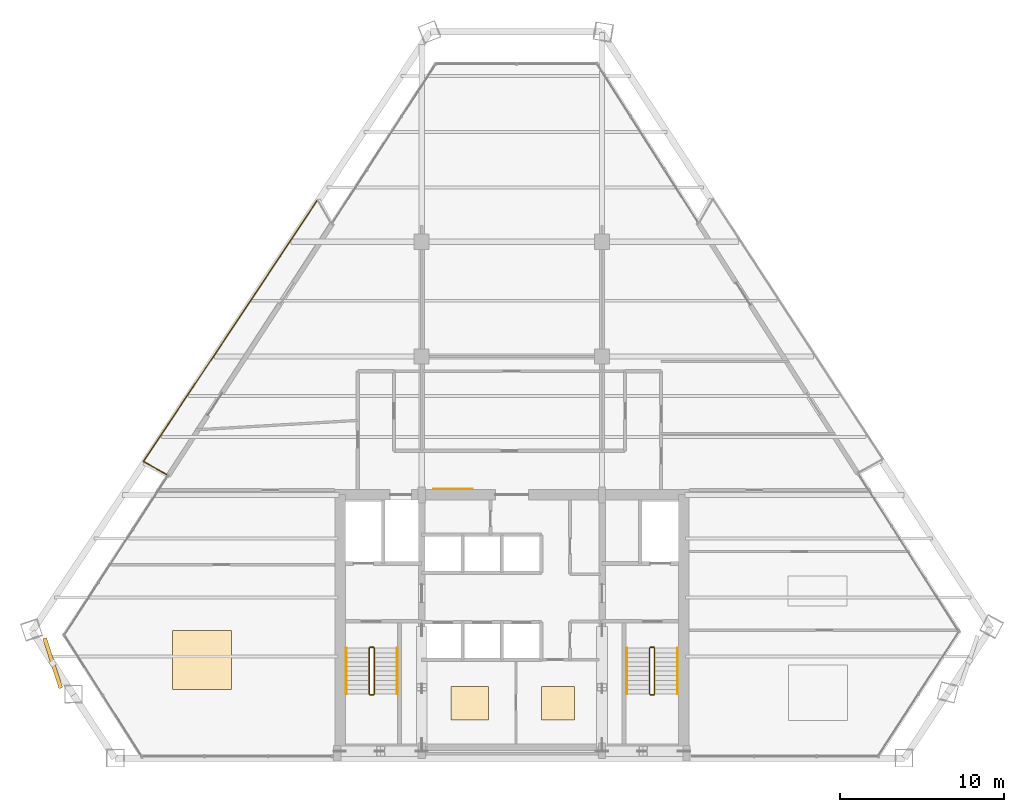
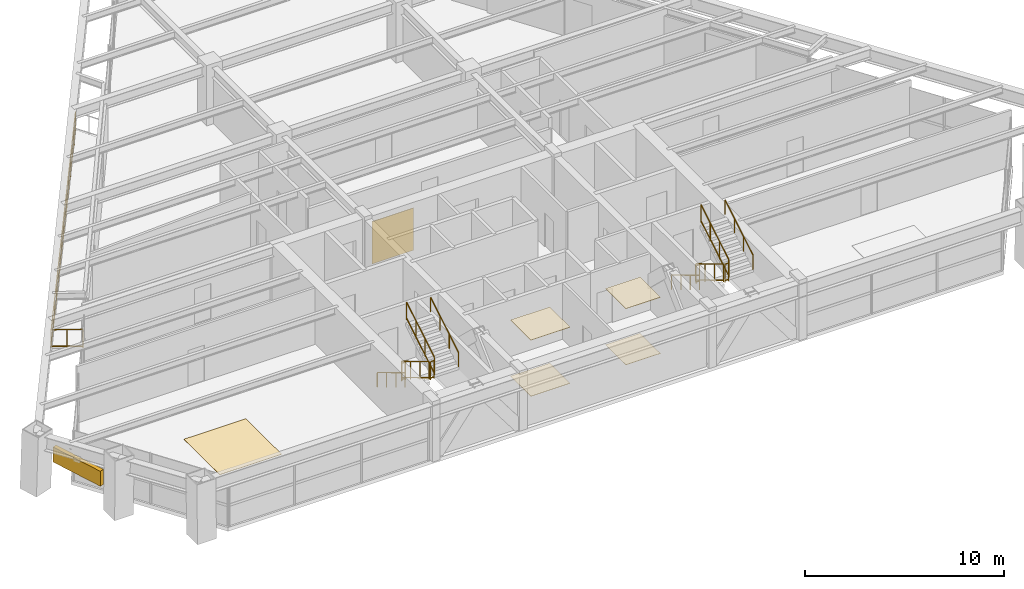
# One storey, part 14 of 15: 14 railings, 6 coverings, 1 shading device.
"""IFC4 building model written with IfcOpenShell, lengths in metres."""

from ifc_helpers import new_model, si_unit, direction, frame, origin, origin_2d, place, context, subcontext, project, spatial, rectangle, extrude, source, transform, mapped, material, layer, layer_set, type_object, type_shapes, element, save


model = new_model("IFC4")

# Units and contexts
model_context = context("Model", 3, precision=1e-05, world=origin(), true_north=direction((0.0, 1.0)))
body_context = subcontext(model_context, "Body", "Model", "MODEL_VIEW")
ifc_project = project(units=[si_unit("LENGTHUNIT", "METRE"), si_unit("AREAUNIT", "SQUARE_METRE"), si_unit("VOLUMEUNIT", "CUBIC_METRE"), si_unit("PLANEANGLEUNIT", "RADIAN"), si_unit("MASSUNIT", "GRAM", prefix="KILO")], contexts=[model_context])

# Site, building, storey
site_placement = place(None, origin())
site = spatial("IfcSite", under=ifc_project, at=site_placement, CompositionType="ELEMENT")
building_placement = place(site_placement, origin())
building = spatial("IfcBuilding", under=site, at=building_placement, Name="Varnakhor Terracotta Tower", CompositionType="ELEMENT")
storey_placement = place(building_placement, frame((0.0, 0.0, 140.39990234375)))
storey = spatial("IfcBuildingStorey", under=building, at=storey_placement, Name="L35", CompositionType="ELEMENT", Elevation=140.39990234375)

# Railings
ifc_material_1 = material(Name="Stainless Steel & Laminated Glass Guardrail", Category="steel")
railing_type_1 = type_object("IfcRailingType", Name="RLG-LOGGIA-GUARD-1150", PredefinedType="GUARDRAIL", material=ifc_material_1)
railing_1_placement = place(storey_placement, frame((-21.065185546875, 17.305908203125, 0.0)))
element("IfcRailing", 1, at=railing_1_placement, inside=storey, type_object=railing_type_1, Name="L35 W Loggia Glass Guard 1", PredefinedType="GUARDRAIL", context=body_context, shape_type="SweptSolid", body=[
    extrude(rectangle(XDim=0.048095703125, YDim=0.048095703125, at=origin_2d()), frame((0.0, 0.0, 1.1259765625), z_axis=(-0.872032592745, 0.489447808443, 0.0), x_axis=(-0.489447808443, -0.872032592745, 0.0)), (0.0, 0.0, 1.0), 1.610595703125),
    extrude(rectangle(XDim=0.048095703125, YDim=0.048095703125, at=origin_2d()), frame((0.0, 0.0, 0.10009765625), z_axis=(-0.872032592745, 0.489447808443, 0.0), x_axis=(-0.489447808443, -0.872032592745, 0.0)), (0.0, 0.0, 1.0), 1.610595703125),
    extrude(rectangle(XDim=0.0419921875, YDim=0.0419921875, at=origin_2d()), origin(), (0.0, 0.0, 1.0), 1.101806640625),
    extrude(rectangle(XDim=0.0419921875, YDim=0.0419921875, at=origin_2d()), frame((-0.7021484375, 0.39404296875, 0.0)), (0.0, 0.0, 1.0), 1.101806640625),
    extrude(rectangle(XDim=0.0419921875, YDim=0.0419921875, at=origin_2d()), frame((-1.404541015625, 0.788330078125, 0.0)), (0.0, 0.0, 1.0), 1.101806640625),
])
railing_2_placement = place(storey_placement, frame((-22.4697265625, 18.09423828125, 0.0)))
element("IfcRailing", 2, at=railing_2_placement, inside=storey, type_object=railing_type_1, Name="L35 W Loggia Glass Guard 2", PredefinedType="GUARDRAIL", context=body_context, shape_type="SweptSolid", body=[
    extrude(rectangle(XDim=0.048095703125, YDim=0.048095703125, at=origin_2d()), frame((0.0, 0.0, 1.1259765625), z_axis=(0.554276406072, 0.832332665268, 0.0), x_axis=(-0.832332665268, 0.554276406072, 0.0)), (0.0, 0.0, 1.0), 19.147216796875),
    extrude(rectangle(XDim=0.048095703125, YDim=0.048095703125, at=origin_2d()), frame((0.0, 0.0, 0.10009765625), z_axis=(0.554276406072, 0.832332665268, 0.0), x_axis=(-0.832332665268, 0.554276406072, 0.0)), (0.0, 0.0, 1.0), 19.147216796875),
    extrude(rectangle(XDim=0.0419921875, YDim=0.0419921875, at=origin_2d()), origin(), (0.0, 0.0, 1.0), 1.101806640625),
    extrude(rectangle(XDim=0.0419921875, YDim=0.0419921875, at=origin_2d()), frame((0.758056640625, 1.138427734375, 0.0)), (0.0, 0.0, 1.0), 1.101806640625),
    extrude(rectangle(XDim=0.0419921875, YDim=0.0419921875, at=origin_2d()), frame((1.51611328125, 2.276611328125, 0.0)), (0.0, 0.0, 1.0), 1.101806640625),
    extrude(rectangle(XDim=0.0419921875, YDim=0.0419921875, at=origin_2d()), frame((2.274169921875, 3.4150390625, 0.0)), (0.0, 0.0, 1.0), 1.101806640625),
    extrude(rectangle(XDim=0.0419921875, YDim=0.0419921875, at=origin_2d()), frame((3.0322265625, 4.553466796875, 0.0)), (0.0, 0.0, 1.0), 1.101806640625),
    extrude(rectangle(XDim=0.0419921875, YDim=0.0419921875, at=origin_2d()), frame((3.790283203125, 5.691650390625, 0.0)), (0.0, 0.0, 1.0), 1.101806640625),
    extrude(rectangle(XDim=0.0419921875, YDim=0.0419921875, at=origin_2d()), frame((4.54833984375, 6.830078125, 0.0)), (0.0, 0.0, 1.0), 1.101806640625),
    extrude(rectangle(XDim=0.0419921875, YDim=0.0419921875, at=origin_2d()), frame((5.306396484375, 7.96826171875, 0.0)), (0.0, 0.0, 1.0), 1.101806640625),
    extrude(rectangle(XDim=0.0419921875, YDim=0.0419921875, at=origin_2d()), frame((6.064453125, 9.106689453125, 0.0)), (0.0, 0.0, 1.0), 1.101806640625),
    extrude(rectangle(XDim=0.0419921875, YDim=0.0419921875, at=origin_2d()), frame((6.822509765625, 10.2451171875, 0.0)), (0.0, 0.0, 1.0), 1.101806640625),
    extrude(rectangle(XDim=0.0419921875, YDim=0.0419921875, at=origin_2d()), frame((7.58056640625, 11.38330078125, 0.0)), (0.0, 0.0, 1.0), 1.101806640625),
    extrude(rectangle(XDim=0.0419921875, YDim=0.0419921875, at=origin_2d()), frame((8.338623046875, 12.521728515625, 0.0)), (0.0, 0.0, 1.0), 1.101806640625),
    extrude(rectangle(XDim=0.0419921875, YDim=0.0419921875, at=origin_2d()), frame((9.0966796875, 13.66015625, 0.0)), (0.0, 0.0, 1.0), 1.101806640625),
    extrude(rectangle(XDim=0.0419921875, YDim=0.0419921875, at=origin_2d()), frame((9.854736328125, 14.79833984375, 0.0)), (0.0, 0.0, 1.0), 1.101806640625),
    extrude(rectangle(XDim=0.0419921875, YDim=0.0419921875, at=origin_2d()), frame((10.61279296875, 15.936767578125, 0.0)), (0.0, 0.0, 1.0), 1.101806640625),
])
ifc_material_2 = material(Name="Painted Steel Stairwell Guardrail", Category="steel")
railing_type_2 = type_object("IfcRailingType", Name="RLG-STAIR-GUARD-1120", PredefinedType="GUARDRAIL", material=ifc_material_2)
railing_3_placement = place(storey_placement, frame((-8.699951171875, 6.7099609375, 0.168212890625)))
element("IfcRailing", 3, at=railing_3_placement, inside=storey, type_object=railing_type_2, Name="L35 ST-1 stair guard 1", PredefinedType="GUARDRAIL", context=body_context, shape_type="SweptSolid", body=[
    extrude(rectangle(XDim=0.048095703125, YDim=0.048095703125, at=origin_2d()), frame((0.0, 0.0, 1.09619140625), z_axis=(0.0, -0.857242210791, 0.514913383045), x_axis=(1.0, 0.0, 0.0)), (0.0, 0.0, 1.0), 3.266357421875),
    extrude(rectangle(XDim=0.048095703125, YDim=0.048095703125, at=origin_2d()), frame((0.0, 0.0, 0.10009765625), z_axis=(0.0, -0.857242210791, 0.514913383045), x_axis=(1.0, 0.0, 0.0)), (0.0, 0.0, 1.0), 3.266357421875),
    extrude(rectangle(XDim=0.0419921875, YDim=0.0419921875, at=origin_2d()), origin(), (0.0, 0.0, 1.0), 1.072021484375),
    extrude(rectangle(XDim=0.0419921875, YDim=0.0419921875, at=origin_2d()), frame((0.0, -0.933349609375, 0.560546875)), (0.0, 0.0, 1.0), 1.072021484375),
    extrude(rectangle(XDim=0.0419921875, YDim=0.0419921875, at=origin_2d()), frame((0.0, -1.86669921875, 1.121337890625)), (0.0, 0.0, 1.0), 1.072021484375),
    extrude(rectangle(XDim=0.0419921875, YDim=0.0419921875, at=origin_2d()), frame((0.0, -2.800048828125, 1.681884765625)), (0.0, 0.0, 1.0), 1.072021484375),
])
railing_4_placement = place(storey_placement, frame((-8.64990234375, 3.860107421875, 1.85009765625)))
element("IfcRailing", 4, at=railing_4_placement, inside=storey, type_object=railing_type_2, Name="L35 ST-1 stair guard 2", PredefinedType="GUARDRAIL", context=body_context, shape_type="SweptSolid", body=[
    extrude(rectangle(XDim=0.048095703125, YDim=0.048095703125, at=origin_2d()), frame((0.0, 0.0, 1.09619140625), z_axis=(1.0, 0.0, 0.0), x_axis=(0.0, 1.0, 0.0)), (0.0, 0.0, 1.0), 0.199951171875),
    extrude(rectangle(XDim=0.048095703125, YDim=0.048095703125, at=origin_2d()), frame((0.0, 0.0, 0.10009765625), z_axis=(1.0, 0.0, 0.0), x_axis=(0.0, 1.0, 0.0)), (0.0, 0.0, 1.0), 0.199951171875),
    extrude(rectangle(XDim=0.0419921875, YDim=0.0419921875, at=origin_2d()), origin(), (0.0, 0.0, 1.0), 1.072021484375),
    extrude(rectangle(XDim=0.0419921875, YDim=0.0419921875, at=origin_2d()), frame((0.199951171875, 0.0, 0.0)), (0.0, 0.0, 1.0), 1.072021484375),
])
railing_5_placement = place(storey_placement, frame((-8.39990234375, 3.909912109375, 2.018310546875)))
element("IfcRailing", 5, at=railing_5_placement, inside=storey, type_object=railing_type_2, Name="L35 ST-1 stair guard 3", PredefinedType="GUARDRAIL", context=body_context, shape_type="SweptSolid", body=[
    extrude(rectangle(XDim=0.048095703125, YDim=0.048095703125, at=origin_2d()), frame((0.0, 0.0, 1.09619140625), z_axis=(0.0, 0.857242210791, 0.514913383045), x_axis=(-1.0, 0.0, 0.0)), (0.0, 0.0, 1.0), 3.266357421875),
    extrude(rectangle(XDim=0.048095703125, YDim=0.048095703125, at=origin_2d()), frame((0.0, 0.0, 0.10009765625), z_axis=(0.0, 0.857242210791, 0.514913383045), x_axis=(-1.0, 0.0, 0.0)), (0.0, 0.0, 1.0), 3.266357421875),
    extrude(rectangle(XDim=0.0419921875, YDim=0.0419921875, at=origin_2d()), origin(), (0.0, 0.0, 1.0), 1.072021484375),
    extrude(rectangle(XDim=0.0419921875, YDim=0.0419921875, at=origin_2d()), frame((0.0, 0.933349609375, 0.560546875)), (0.0, 0.0, 1.0), 1.072021484375),
    extrude(rectangle(XDim=0.0419921875, YDim=0.0419921875, at=origin_2d()), frame((0.0, 1.86669921875, 1.121337890625)), (0.0, 0.0, 1.0), 1.072021484375),
    extrude(rectangle(XDim=0.0419921875, YDim=0.0419921875, at=origin_2d()), frame((0.0, 2.800048828125, 1.681884765625)), (0.0, 0.0, 1.0), 1.072021484375),
])
railing_6_placement = place(storey_placement, frame((-8.64990234375, 6.760009765625, 0.0)))
element("IfcRailing", 6, at=railing_6_placement, inside=storey, type_object=railing_type_2, Name="L35 ST-1 stair guard 4", PredefinedType="GUARDRAIL", context=body_context, shape_type="SweptSolid", body=[
    extrude(rectangle(XDim=0.048095703125, YDim=0.048095703125, at=origin_2d()), frame((0.0, 0.0, 1.09619140625), z_axis=(1.0, 0.0, 0.0), x_axis=(0.0, 1.0, 0.0)), (0.0, 0.0, 1.0), 0.199951171875),
    extrude(rectangle(XDim=0.048095703125, YDim=0.048095703125, at=origin_2d()), frame((0.0, 0.0, 0.10009765625), z_axis=(1.0, 0.0, 0.0), x_axis=(0.0, 1.0, 0.0)), (0.0, 0.0, 1.0), 0.199951171875),
    extrude(rectangle(XDim=0.0419921875, YDim=0.0419921875, at=origin_2d()), origin(), (0.0, 0.0, 1.0), 1.072021484375),
    extrude(rectangle(XDim=0.0419921875, YDim=0.0419921875, at=origin_2d()), frame((0.199951171875, 0.0, 0.0)), (0.0, 0.0, 1.0), 1.072021484375),
])
railing_7_placement = place(storey_placement, frame((8.39990234375, 6.7099609375, 0.168212890625)))
element("IfcRailing", 7, at=railing_7_placement, inside=storey, type_object=railing_type_2, Name="L35 ST-2 stair guard 1", PredefinedType="GUARDRAIL", context=body_context, shape_type="SweptSolid", body=[
    extrude(rectangle(XDim=0.048095703125, YDim=0.048095703125, at=origin_2d()), frame((0.0, 0.0, 1.09619140625), z_axis=(0.0, -0.857242210791, 0.514913383045), x_axis=(1.0, 0.0, 0.0)), (0.0, 0.0, 1.0), 3.266357421875),
    extrude(rectangle(XDim=0.048095703125, YDim=0.048095703125, at=origin_2d()), frame((0.0, 0.0, 0.10009765625), z_axis=(0.0, -0.857242210791, 0.514913383045), x_axis=(1.0, 0.0, 0.0)), (0.0, 0.0, 1.0), 3.266357421875),
    extrude(rectangle(XDim=0.0419921875, YDim=0.0419921875, at=origin_2d()), origin(), (0.0, 0.0, 1.0), 1.072021484375),
    extrude(rectangle(XDim=0.0419921875, YDim=0.0419921875, at=origin_2d()), frame((0.0, -0.933349609375, 0.560546875)), (0.0, 0.0, 1.0), 1.072021484375),
    extrude(rectangle(XDim=0.0419921875, YDim=0.0419921875, at=origin_2d()), frame((0.0, -1.86669921875, 1.121337890625)), (0.0, 0.0, 1.0), 1.072021484375),
    extrude(rectangle(XDim=0.0419921875, YDim=0.0419921875, at=origin_2d()), frame((0.0, -2.800048828125, 1.681884765625)), (0.0, 0.0, 1.0), 1.072021484375),
])
railing_8_placement = place(storey_placement, frame((8.449951171875, 3.860107421875, 1.85009765625)))
element("IfcRailing", 8, at=railing_8_placement, inside=storey, type_object=railing_type_2, Name="L35 ST-2 stair guard 2", PredefinedType="GUARDRAIL", context=body_context, shape_type="SweptSolid", body=[
    extrude(rectangle(XDim=0.048095703125, YDim=0.048095703125, at=origin_2d()), frame((0.0, 0.0, 1.09619140625), z_axis=(1.0, 0.0, 0.0), x_axis=(0.0, 1.0, 0.0)), (0.0, 0.0, 1.0), 0.199951171875),
    extrude(rectangle(XDim=0.048095703125, YDim=0.048095703125, at=origin_2d()), frame((0.0, 0.0, 0.10009765625), z_axis=(1.0, 0.0, 0.0), x_axis=(0.0, 1.0, 0.0)), (0.0, 0.0, 1.0), 0.199951171875),
    extrude(rectangle(XDim=0.0419921875, YDim=0.0419921875, at=origin_2d()), origin(), (0.0, 0.0, 1.0), 1.072021484375),
    extrude(rectangle(XDim=0.0419921875, YDim=0.0419921875, at=origin_2d()), frame((0.199951171875, 0.0, 0.0)), (0.0, 0.0, 1.0), 1.072021484375),
])
railing_9_placement = place(storey_placement, frame((8.699951171875, 3.909912109375, 2.018310546875)))
element("IfcRailing", 9, at=railing_9_placement, inside=storey, type_object=railing_type_2, Name="L35 ST-2 stair guard 3", PredefinedType="GUARDRAIL", context=body_context, shape_type="SweptSolid", body=[
    extrude(rectangle(XDim=0.048095703125, YDim=0.048095703125, at=origin_2d()), frame((0.0, 0.0, 1.09619140625), z_axis=(0.0, 0.857242210791, 0.514913383045), x_axis=(-1.0, 0.0, 0.0)), (0.0, 0.0, 1.0), 3.266357421875),
    extrude(rectangle(XDim=0.048095703125, YDim=0.048095703125, at=origin_2d()), frame((0.0, 0.0, 0.10009765625), z_axis=(0.0, 0.857242210791, 0.514913383045), x_axis=(-1.0, 0.0, 0.0)), (0.0, 0.0, 1.0), 3.266357421875),
    extrude(rectangle(XDim=0.0419921875, YDim=0.0419921875, at=origin_2d()), origin(), (0.0, 0.0, 1.0), 1.072021484375),
    extrude(rectangle(XDim=0.0419921875, YDim=0.0419921875, at=origin_2d()), frame((0.0, 0.933349609375, 0.560546875)), (0.0, 0.0, 1.0), 1.072021484375),
    extrude(rectangle(XDim=0.0419921875, YDim=0.0419921875, at=origin_2d()), frame((0.0, 1.86669921875, 1.121337890625)), (0.0, 0.0, 1.0), 1.072021484375),
    extrude(rectangle(XDim=0.0419921875, YDim=0.0419921875, at=origin_2d()), frame((0.0, 2.800048828125, 1.681884765625)), (0.0, 0.0, 1.0), 1.072021484375),
])
railing_10_placement = place(storey_placement, frame((8.449951171875, 6.760009765625, 0.0)))
element("IfcRailing", 10, at=railing_10_placement, inside=storey, type_object=railing_type_2, Name="L35 ST-2 stair guard 4", PredefinedType="GUARDRAIL", context=body_context, shape_type="SweptSolid", body=[
    extrude(rectangle(XDim=0.048095703125, YDim=0.048095703125, at=origin_2d()), frame((0.0, 0.0, 1.09619140625), z_axis=(1.0, 0.0, 0.0), x_axis=(0.0, 1.0, 0.0)), (0.0, 0.0, 1.0), 0.199951171875),
    extrude(rectangle(XDim=0.048095703125, YDim=0.048095703125, at=origin_2d()), frame((0.0, 0.0, 0.10009765625), z_axis=(1.0, 0.0, 0.0), x_axis=(0.0, 1.0, 0.0)), (0.0, 0.0, 1.0), 0.199951171875),
    extrude(rectangle(XDim=0.0419921875, YDim=0.0419921875, at=origin_2d()), origin(), (0.0, 0.0, 1.0), 1.072021484375),
    extrude(rectangle(XDim=0.0419921875, YDim=0.0419921875, at=origin_2d()), frame((0.199951171875, 0.0, 0.0)), (0.0, 0.0, 1.0), 1.072021484375),
])
ifc_material_3 = material(Name="Brushed Stainless Steel Handrail", Category="steel")
railing_type_3 = type_object("IfcRailingType", Name="RLG-STAIR-HANDRAIL-920", PredefinedType="HANDRAIL", material=ifc_material_3)
railing_11_placement = place(storey_placement, frame((-10.10009765625, 6.7099609375, 0.168212890625)))
element("IfcRailing", 11, at=railing_11_placement, inside=storey, type_object=railing_type_3, Name="L35 ST-1 stair handrail 1", PredefinedType="HANDRAIL", context=body_context, shape_type="SweptSolid", body=[
    extrude(rectangle(XDim=0.048095703125, YDim=0.048095703125, at=origin_2d()), frame((0.0, 0.0, 0.89599609375), z_axis=(0.0, -0.857242210791, 0.514913383045), x_axis=(1.0, 0.0, 0.0)), (0.0, 0.0, 1.0), 3.266357421875),
    extrude(rectangle(XDim=0.0419921875, YDim=0.0419921875, at=origin_2d()), origin(), (0.0, 0.0, 1.0), 0.871826171875),
    extrude(rectangle(XDim=0.0419921875, YDim=0.0419921875, at=origin_2d()), frame((0.0, -0.933349609375, 0.560546875)), (0.0, 0.0, 1.0), 0.871826171875),
    extrude(rectangle(XDim=0.0419921875, YDim=0.0419921875, at=origin_2d()), frame((0.0, -1.86669921875, 1.121337890625)), (0.0, 0.0, 1.0), 0.871826171875),
    extrude(rectangle(XDim=0.0419921875, YDim=0.0419921875, at=origin_2d()), frame((0.0, -2.800048828125, 1.681884765625)), (0.0, 0.0, 1.0), 0.871826171875),
])
railing_12_placement = place(storey_placement, frame((-7.0, 3.909912109375, 2.018310546875)))
element("IfcRailing", 12, at=railing_12_placement, inside=storey, type_object=railing_type_3, Name="L35 ST-1 stair handrail 2", PredefinedType="HANDRAIL", context=body_context, shape_type="SweptSolid", body=[
    extrude(rectangle(XDim=0.048095703125, YDim=0.048095703125, at=origin_2d()), frame((0.0, 0.0, 0.89599609375), z_axis=(0.0, 0.857242210791, 0.514913383045), x_axis=(-1.0, 0.0, 0.0)), (0.0, 0.0, 1.0), 3.266357421875),
    extrude(rectangle(XDim=0.0419921875, YDim=0.0419921875, at=origin_2d()), origin(), (0.0, 0.0, 1.0), 0.871826171875),
    extrude(rectangle(XDim=0.0419921875, YDim=0.0419921875, at=origin_2d()), frame((0.0, 0.933349609375, 0.560546875)), (0.0, 0.0, 1.0), 0.871826171875),
    extrude(rectangle(XDim=0.0419921875, YDim=0.0419921875, at=origin_2d()), frame((0.0, 1.86669921875, 1.121337890625)), (0.0, 0.0, 1.0), 0.871826171875),
    extrude(rectangle(XDim=0.0419921875, YDim=0.0419921875, at=origin_2d()), frame((0.0, 2.800048828125, 1.681884765625)), (0.0, 0.0, 1.0), 0.871826171875),
])
railing_13_placement = place(storey_placement, frame((7.0, 6.7099609375, 0.168212890625)))
element("IfcRailing", 13, at=railing_13_placement, inside=storey, type_object=railing_type_3, Name="L35 ST-2 stair handrail 1", PredefinedType="HANDRAIL", context=body_context, shape_type="SweptSolid", body=[
    extrude(rectangle(XDim=0.048095703125, YDim=0.048095703125, at=origin_2d()), frame((0.0, 0.0, 0.89599609375), z_axis=(0.0, -0.857242210791, 0.514913383045), x_axis=(1.0, 0.0, 0.0)), (0.0, 0.0, 1.0), 3.266357421875),
    extrude(rectangle(XDim=0.0419921875, YDim=0.0419921875, at=origin_2d()), origin(), (0.0, 0.0, 1.0), 0.871826171875),
    extrude(rectangle(XDim=0.0419921875, YDim=0.0419921875, at=origin_2d()), frame((0.0, -0.933349609375, 0.560546875)), (0.0, 0.0, 1.0), 0.871826171875),
    extrude(rectangle(XDim=0.0419921875, YDim=0.0419921875, at=origin_2d()), frame((0.0, -1.86669921875, 1.121337890625)), (0.0, 0.0, 1.0), 0.871826171875),
    extrude(rectangle(XDim=0.0419921875, YDim=0.0419921875, at=origin_2d()), frame((0.0, -2.800048828125, 1.681884765625)), (0.0, 0.0, 1.0), 0.871826171875),
])
railing_14_placement = place(storey_placement, frame((10.10009765625, 3.909912109375, 2.018310546875)))
element("IfcRailing", 14, at=railing_14_placement, inside=storey, type_object=railing_type_3, Name="L35 ST-2 stair handrail 2", PredefinedType="HANDRAIL", context=body_context, shape_type="SweptSolid", body=[
    extrude(rectangle(XDim=0.048095703125, YDim=0.048095703125, at=origin_2d()), frame((0.0, 0.0, 0.89599609375), z_axis=(0.0, 0.857242210791, 0.514913383045), x_axis=(-1.0, 0.0, 0.0)), (0.0, 0.0, 1.0), 3.266357421875),
    extrude(rectangle(XDim=0.0419921875, YDim=0.0419921875, at=origin_2d()), origin(), (0.0, 0.0, 1.0), 0.871826171875),
    extrude(rectangle(XDim=0.0419921875, YDim=0.0419921875, at=origin_2d()), frame((0.0, 0.933349609375, 0.560546875)), (0.0, 0.0, 1.0), 0.871826171875),
    extrude(rectangle(XDim=0.0419921875, YDim=0.0419921875, at=origin_2d()), frame((0.0, 1.86669921875, 1.121337890625)), (0.0, 0.0, 1.0), 0.871826171875),
    extrude(rectangle(XDim=0.0419921875, YDim=0.0419921875, at=origin_2d()), frame((0.0, 2.800048828125, 1.681884765625)), (0.0, 0.0, 1.0), 0.871826171875),
])

# Shading device
ifc_material_4 = material(Name="Extruded Architectural Terracotta Screen", Category="masonry")
shading_device_type = type_object("IfcShadingDeviceType", Name="TERRACOTTA SOLAR SCREEN W", PredefinedType="USERDEFINED", material=ifc_material_4)
shared_shape_1 = source(origin(), body_context, "Body", "SweptSolid", [
    extrude(rectangle(XDim=3.199951171875, YDim=0.239990234375, at=origin_2d()), origin(), (0.0, 0.0, 1.0), 0.919921875),
])
type_shapes(shading_device_type, [shared_shape_1])
shading_device_placement = place(storey_placement, frame((-28.001708984375, 5.792236328125, 1.710205078125), z_axis=(0.0, 0.0, 1.0), x_axis=(0.311257008648, -0.950325772863, 0.0)))
element("IfcShadingDevice", 15, at=shading_device_placement, inside=storey, type_object=shading_device_type, Name="L35 W Terracotta Solar Screen", ObjectType="SCREEN", PredefinedType="USERDEFINED", context=body_context, shape_type="MappedRepresentation", body=[
    mapped(shared_shape_1, transform((0.0, 0.0, 0.0), scale=1.0)),
])

# Coverings
ifc_material_5 = material(Name="Extruded Architectural Terracotta Cladding", Category="masonry")
ifc_layer_1 = layer(ifc_material_5, 0.044921875, Name="Extruded Architectural Terracotta Cladding")
ifc_layer_set_1 = layer_set([ifc_layer_1], Name="Extruded Architectural Terracotta Cladding")
covering_type_1 = type_object("IfcCoveringType", Name="COV-CLAD-TERRACOTTA", PredefinedType="CLADDING", material=ifc_layer_set_1)
shared_shape_2 = source(origin(), body_context, "Body", "SweptSolid", [
    extrude(rectangle(XDim=2.39990234375, YDim=0.030029296875, at=origin_2d()), origin(), (0.0, 0.0, 1.0), 2.60009765625),
])
type_shapes(covering_type_1, [shared_shape_2])
covering_1_placement = place(storey_placement, frame((-3.60009765625, 16.412109375, 0.0), z_axis=(0.0, 0.0, 1.0), x_axis=(1.0, 0.0, 0.0)))
element("IfcCovering", 16, at=covering_1_placement, inside=storey, type_object=covering_type_1, Name="L35 Core Lobby Limestone Cladding", PredefinedType="CLADDING", context=body_context, shape_type="MappedRepresentation", body=[
    mapped(shared_shape_2, transform((0.0, 0.0, 0.0), scale=1.0)),
])
ifc_material_6 = material(Name="Honed Riyadh Limestone Flooring", Category="masonry")
ifc_layer_2 = layer(ifc_material_6, 0.030029296875, Name="Honed Riyadh Limestone Flooring")
ifc_layer_set_2 = layer_set([ifc_layer_2], Name="Honed Riyadh Limestone Flooring")
covering_type_2 = type_object("IfcCoveringType", Name="COV-FLOOR-LIMESTONE", PredefinedType="FLOORING", material=ifc_layer_set_2)
shared_shape_3 = source(origin(), body_context, "Body", "SweptSolid", [
    extrude(rectangle(XDim=3.60009765625, YDim=3.60009765625, at=origin_2d()), origin(), (0.0, 0.0, 1.0), 0.02001953125),
])
covering_2_placement = place(storey_placement, frame((-18.89794921875, 6.001953125, 0.0), z_axis=(0.0, 0.0, 1.0), x_axis=(1.0, 0.0, 0.0)))
element("IfcCovering", 17, at=covering_2_placement, inside=storey, type_object=covering_type_2, Name="L35 Honed Stone Flooring 4", PredefinedType="FLOORING", context=body_context, shape_type="MappedRepresentation", body=[
    mapped(shared_shape_3, transform((0.0, 0.0, 0.0), scale=1.0)),
])
shared_shape_4 = source(origin(), body_context, "Body", "SweptSolid", [
    extrude(rectangle(XDim=2.281982421875, YDim=2.041015625, at=origin_2d()), origin(), (0.0, 0.0, 1.0), 0.02001953125),
])
covering_3_placement = place(storey_placement, frame((-2.56494140625, 3.35498046875, 0.0), z_axis=(0.0, 0.0, 1.0), x_axis=(1.0, 0.0, 0.0)))
element("IfcCovering", 18, at=covering_3_placement, inside=storey, type_object=covering_type_2, Name="L35 Honed Stone Flooring 1", PredefinedType="FLOORING", context=body_context, shape_type="MappedRepresentation", body=[
    mapped(shared_shape_4, transform((0.0, 0.0, 0.0), scale=1.0)),
])
ifc_material_7 = material(Name="Perforated Acoustic Mineral-Fibre Ceiling", Category="gypsum")
ifc_layer_3 = layer(ifc_material_7, 0.02490234375, Name="Perforated Acoustic Mineral-Fibre Ceiling")
ifc_layer_set_3 = layer_set([ifc_layer_3], Name="Perforated Acoustic Mineral-Fibre Ceiling")
covering_type_3 = type_object("IfcCoveringType", Name="COV-CEILING-ACOUSTIC", PredefinedType="CEILING", material=ifc_layer_set_3)
shared_shape_5 = source(origin(), body_context, "Body", "SweptSolid", [
    extrude(rectangle(XDim=2.281982421875, YDim=2.041015625, at=origin_2d()), origin(), (0.0, 0.0, 1.0), 0.02392578125),
])
covering_4_placement = place(storey_placement, frame((-2.56494140625, 3.35498046875, 3.446044921875), z_axis=(0.0, 0.0, 1.0), x_axis=(1.0, 0.0, 0.0)))
element("IfcCovering", 19, at=covering_4_placement, inside=storey, type_object=covering_type_3, Name="L35 Acoustic Ceiling Panel 1", PredefinedType="CEILING", context=body_context, shape_type="MappedRepresentation", body=[
    mapped(shared_shape_5, transform((0.0, 0.0, 0.0), scale=1.0)),
])
shared_shape_6 = source(origin(), body_context, "Body", "SweptSolid", [
    extrude(rectangle(XDim=2.007080078125, YDim=2.041015625, at=origin_2d()), origin(), (0.0, 0.0, 1.0), 0.02001953125),
])
covering_5_placement = place(storey_placement, frame((2.81494140625, 3.35498046875, 0.0), z_axis=(0.0, 0.0, 1.0), x_axis=(1.0, 0.0, 0.0)))
element("IfcCovering", 20, at=covering_5_placement, inside=storey, type_object=covering_type_2, Name="L35 Honed Stone Flooring 2", PredefinedType="FLOORING", context=body_context, shape_type="MappedRepresentation", body=[
    mapped(shared_shape_6, transform((0.0, 0.0, 0.0), scale=1.0)),
])
shared_shape_7 = source(origin(), body_context, "Body", "SweptSolid", [
    extrude(rectangle(XDim=2.007080078125, YDim=2.041015625, at=origin_2d()), origin(), (0.0, 0.0, 1.0), 0.02392578125),
])
covering_6_placement = place(storey_placement, frame((2.81494140625, 3.35498046875, 3.446044921875), z_axis=(0.0, 0.0, 1.0), x_axis=(1.0, 0.0, 0.0)))
element("IfcCovering", 21, at=covering_6_placement, inside=storey, type_object=covering_type_3, Name="L35 Acoustic Ceiling Panel 2", PredefinedType="CEILING", context=body_context, shape_type="MappedRepresentation", body=[
    mapped(shared_shape_7, transform((0.0, 0.0, 0.0), scale=1.0)),
])

save(model, "model.ifc")
